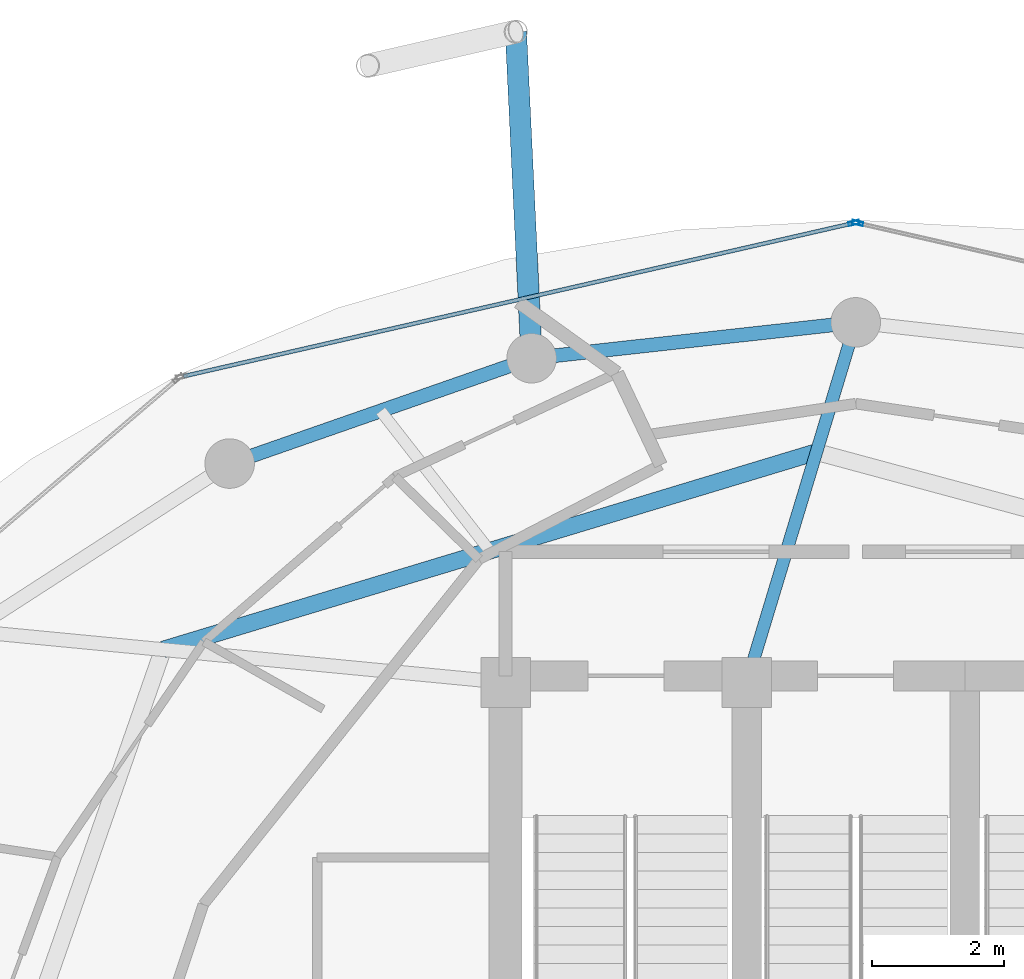
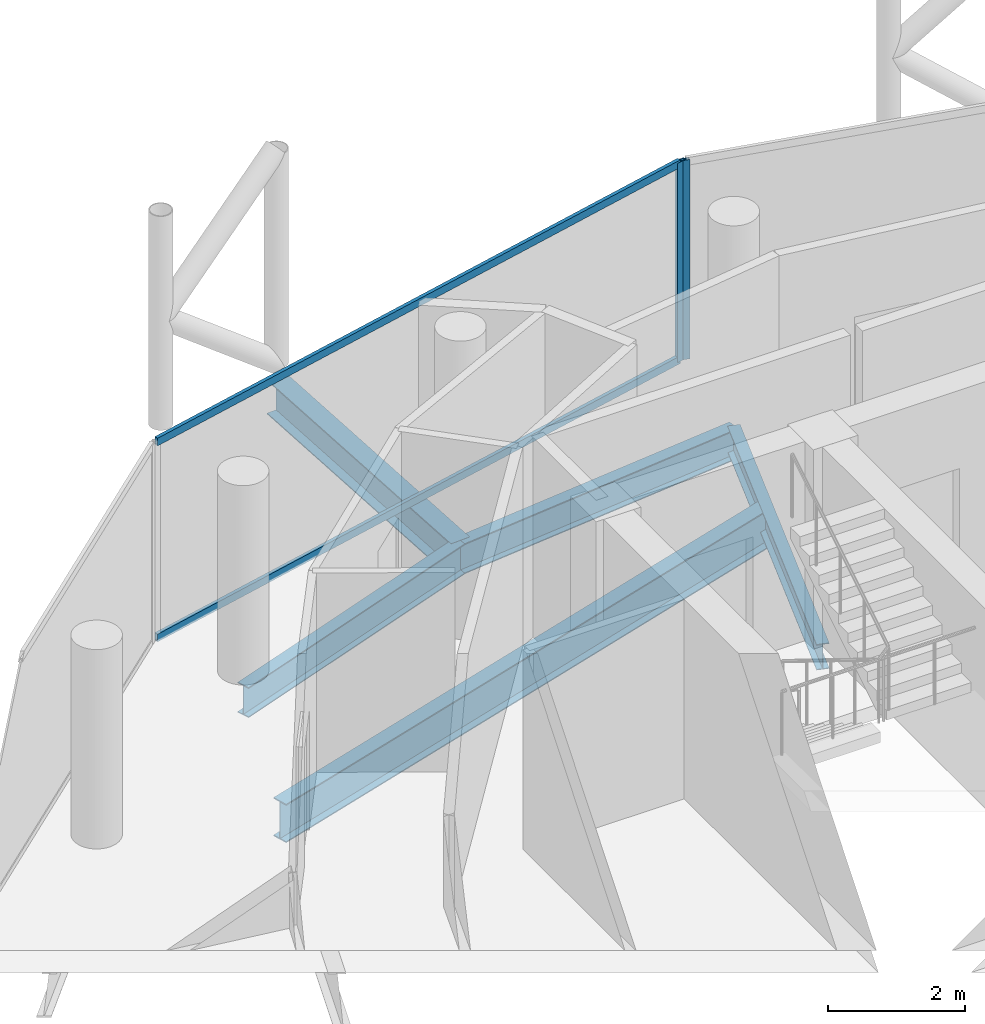
# One storey, part 16 of 24: 5 beams, 4 members, 2 elements without a shape of their own.
"""IFC4 building model written with IfcOpenShell, lengths in metres."""

from ifc_helpers import new_model, si_unit, direction, frame, origin, origin_2d, place, context, subcontext, project, spatial, hollow_rectangle, i_section, extrude, material, layer, layer_set, material_profile, profile_set, type_object, element, aggregate, save


model = new_model("IFC4")

# Units and contexts
model_context = context("Model", 3, precision=1e-05, world=origin(), true_north=direction((0.0, 1.0)))
body_context = subcontext(model_context, "Body", "Model", "MODEL_VIEW")
ifc_project = project(units=[si_unit("LENGTHUNIT", "METRE"), si_unit("AREAUNIT", "SQUARE_METRE"), si_unit("VOLUMEUNIT", "CUBIC_METRE"), si_unit("PLANEANGLEUNIT", "RADIAN"), si_unit("MASSUNIT", "GRAM", prefix="KILO")], contexts=[model_context])

# Site, building, storey
site_placement = place(None, origin())
site = spatial("IfcSite", under=ifc_project, at=site_placement, CompositionType="ELEMENT")
building_placement = place(site_placement, origin())
building = spatial("IfcBuilding", under=site, at=building_placement, Name="Nuhasar Tower", CompositionType="ELEMENT")
storey_placement = place(building_placement, frame((0.0, 0.0, 282.199951171875)))
storey = spatial("IfcBuildingStorey", under=building, at=storey_placement, Name="L70", CompositionType="ELEMENT", Elevation=282.199951171875)

# Beams
ifc_material_1 = material(Name="Steel S355", Category="steel")
ifc_material_profile_1 = material_profile(ifc_material_1, i_section(OverallWidth=0.25390625, OverallDepth=0.68408203125, WebThickness=0.012451171875, FlangeThickness=0.018798828125, at=origin_2d()), Name="W27X94")
ifc_profile_set_1 = profile_set([ifc_material_profile_1], Name="Steel S355")
beam_type_1 = type_object("IfcBeamType", Name="BM-INRING-W27X94", PredefinedType="BEAM", material=ifc_profile_set_1)
beam_1_placement = place(storey_placement, frame((38.406005859375, 40.7880859375, -0.60205078125), z_axis=(-0.957210818407, -0.289391515294, 0.0), x_axis=(0.289391515294, -0.957210818407, 0.0)))
element("IfcBeam", 1, at=beam_1_placement, inside=storey, type_object=beam_type_1, Name="L70 Inner Header Beam 06", PredefinedType="BEAM", context=body_context, shape_type="SweptSolid", body=[
    extrude(i_section(OverallWidth=0.25390625, OverallDepth=0.68408203125, WebThickness=0.012451171875, FlangeThickness=0.018798828125, at=origin_2d()), origin(), (0.0, 0.0, 1.0), 10.33203125),
])
ifc_material_profile_2 = material_profile(ifc_material_1, i_section(OverallWidth=0.18994140625, OverallDepth=0.45703125, WebThickness=0.009033203125, FlangeThickness=0.014404296875, at=origin_2d()), Name="W18X50")
ifc_profile_set_2 = profile_set([ifc_material_profile_2], Name="Steel S355")
beam_type_2 = type_object("IfcBeamType", Name="BM-RAD-W18X50", PredefinedType="BEAM", material=ifc_profile_set_2)
beam_2_placement = place(storey_placement, frame((37.35009765625, 37.300048828125, -0.488037109375), z_axis=(0.289750350206, 0.957102259195, 0.0), x_axis=(-0.957102259195, 0.289750350206, 0.0)))
element("IfcBeam", 2, at=beam_2_placement, inside=storey, type_object=beam_type_2, Name="L70 Radial Floor Girder 06", PredefinedType="BEAM", context=body_context, shape_type="SweptSolid", body=[
    extrude(i_section(OverallWidth=0.18994140625, OverallDepth=0.45703125, WebThickness=0.009033203125, FlangeThickness=0.014404296875, at=origin_2d()), origin(), (0.0, 0.0, 1.0), 5.6943359375),
])
ifc_material_profile_3 = material_profile(ifc_material_1, i_section(OverallWidth=0.2099609375, OverallDepth=0.537109375, WebThickness=0.010986328125, FlangeThickness=0.017333984375, at=origin_2d()), Name="W21X68")
ifc_profile_set_3 = profile_set([ifc_material_profile_3], Name="Steel S355")
beam_type_3 = type_object("IfcBeamType", Name="BM-RING-W21X68", PredefinedType="SPANDREL", material=ifc_profile_set_3)
beam_3_placement = place(storey_placement, frame((39.0, 42.75, -0.529052734375), z_axis=(-0.99392889943, -0.110024283128, 0.0), x_axis=(0.110024283128, -0.99392889943, 0.0)))
element("IfcBeam", 3, at=beam_3_placement, inside=storey, type_object=beam_type_3, Name="L70 Perimeter Ring Spandrel 07", PredefinedType="SPANDREL", context=body_context, shape_type="SweptSolid", body=[
    extrude(i_section(OverallWidth=0.2099609375, OverallDepth=0.537109375, WebThickness=0.010986328125, FlangeThickness=0.017333984375, at=origin_2d()), origin(), (0.0, 0.0, 1.0), 4.93505859375),
])
beam_4_placement = place(storey_placement, frame((34.094970703125, 42.20703125, -0.529052734375), z_axis=(-0.944214043504, -0.329332415729, 0.0), x_axis=(0.329332415729, -0.944214043504, 0.0)))
element("IfcBeam", 4, at=beam_4_placement, inside=storey, type_object=beam_type_3, Name="L70 Perimeter Ring Spandrel 08", PredefinedType="SPANDREL", context=body_context, shape_type="SweptSolid", body=[
    extrude(i_section(OverallWidth=0.2099609375, OverallDepth=0.537109375, WebThickness=0.010986328125, FlangeThickness=0.017333984375, at=origin_2d()), origin(), (0.0, 0.0, 1.0), 4.840087890625),
])
ifc_material_profile_4 = material_profile(ifc_material_1, i_section(OverallWidth=0.323974609375, OverallDepth=0.611083984375, WebThickness=0.0126953125, FlangeThickness=0.01904296875, at=origin_2d()), Name="W24X104")
ifc_profile_set_4 = profile_set([ifc_material_profile_4], Name="Steel S355")
beam_type_4 = type_object("IfcBeamType", Name="BM-TIE-W24X104", PredefinedType="BEAM", material=ifc_profile_set_4)
beam_5_placement = place(storey_placement, frame((34.094970703125, 42.20703125, -0.56494140625), z_axis=(-0.048111398417, 0.998841976162, 0.0), x_axis=(-0.998841976162, -0.048111398417, 0.0)))
element("IfcBeam", 5, at=beam_5_placement, inside=storey, type_object=beam_type_4, Name="L70 Exoskeleton Node Tie Beam 04", PredefinedType="BEAM", context=body_context, shape_type="SweptSolid", body=[
    extrude(i_section(OverallWidth=0.323974609375, OverallDepth=0.611083984375, WebThickness=0.0126953125, FlangeThickness=0.01904296875, at=origin_2d()), origin(), (0.0, 0.0, 1.0), 4.947509765625),
])

# Curtain wall, member
ifc_material_2 = material(Name="Aluminium 6063-T6", Category="aluminium")
ifc_layer = layer(ifc_material_2, 0.18994140625)
ifc_layer_set = layer_set([ifc_layer], Name="Aluminium 6063-T6")
curtain_wall_type = type_object("IfcCurtainWallType", Name="CW-Z4-PEN", PredefinedType="NOTDEFINED", material=ifc_layer_set)
curtain_wall_1_placement = place(storey_placement, origin())
curtain_wall_1 = element("IfcCurtainWall", 6, at=curtain_wall_1_placement, inside=storey, type_object=curtain_wall_type, Name="L70 Unitised Curtain Wall 03", PredefinedType="NOTDEFINED")
ifc_material_profile_5 = material_profile(ifc_material_2, hollow_rectangle(XDim=0.06005859375, YDim=0.1650390625, WallThickness=0.0048828125, at=origin_2d()), Name="CWM-5")
ifc_profile_set_5 = profile_set([ifc_material_profile_5], Name="Aluminium 6063-T6")
member_type_1 = type_object("IfcMemberType", Name="CW-MUL-S5", PredefinedType="MULLION", material=ifc_profile_set_5)
member_1_placement = place(storey_placement, frame((39.029296875, 44.25341796875, 0.0), z_axis=(0.0, 0.0, 1.0), x_axis=(-0.222889487645, -0.97484371891, 0.0)))
member_1 = element("IfcMember", 7, at=member_1_placement, type_object=member_type_1, Name="CW-Z4 mullion 2", PredefinedType="MULLION", context=body_context, shape_type="SweptSolid", body=[
    extrude(hollow_rectangle(XDim=0.06005859375, YDim=0.1650390625, WallThickness=0.0048828125, at=origin_2d()), origin(), (0.0, 0.0, 1.0), 3.5400390625),
])
aggregate(curtain_wall_1, [member_1])

# Curtain wall, members
curtain_wall_2_placement = place(storey_placement, origin())
curtain_wall_2 = element("IfcCurtainWall", 8, at=curtain_wall_2_placement, inside=storey, type_object=curtain_wall_type, Name="L70 Unitised Curtain Wall 04", PredefinedType="NOTDEFINED")
member_2_placement = place(storey_placement, frame((38.970703125, 44.25341796875, 0.0), z_axis=(0.0, 0.0, 1.0), x_axis=(0.222889487645, -0.97484371891, 0.0)))
member_2 = element("IfcMember", 9, at=member_2_placement, type_object=member_type_1, Name="CW-Z4 mullion 1", PredefinedType="MULLION", context=body_context, shape_type="SweptSolid", body=[
    extrude(hollow_rectangle(XDim=0.06005859375, YDim=0.1650390625, WallThickness=0.0048828125, at=origin_2d()), origin(), (0.0, 0.0, 1.0), 3.5400390625),
])
ifc_material_profile_6 = material_profile(ifc_material_2, hollow_rectangle(XDim=0.06005859375, YDim=0.135009765625, WallThickness=0.00439453125, at=origin_2d()), Name="CWT-5")
ifc_profile_set_6 = profile_set([ifc_material_profile_6], Name="Aluminium 6063-T6")
member_type_2 = type_object("IfcMemberType", Name="CW-TRN-S5", PredefinedType="USERDEFINED", material=ifc_profile_set_6)
member_3_placement = place(storey_placement, frame((38.94140625, 44.24658203125, 0.030029296875), z_axis=(-0.974843752401, -0.222889341163, 0.0), x_axis=(0.222889341163, -0.974843752401, 0.0)))
member_3 = element("IfcMember", 10, at=member_3_placement, type_object=member_type_2, Name="CW-Z4 transom 1.1", ObjectType="TRANSOM", PredefinedType="USERDEFINED", context=body_context, shape_type="SweptSolid", body=[
    extrude(hollow_rectangle(XDim=0.06005859375, YDim=0.135009765625, WallThickness=0.00439453125, at=origin_2d()), origin(), (0.0, 0.0, 1.0), 10.3740234375),
])
member_4_placement = place(storey_placement, frame((38.94140625, 44.24658203125, 3.510009765625), z_axis=(-0.974843752401, -0.222889341163, 0.0), x_axis=(0.222889341163, -0.974843752401, 0.0)))
member_4 = element("IfcMember", 11, at=member_4_placement, type_object=member_type_2, Name="CW-Z4 transom 1.2", ObjectType="TRANSOM", PredefinedType="USERDEFINED", context=body_context, shape_type="SweptSolid", body=[
    extrude(hollow_rectangle(XDim=0.06005859375, YDim=0.135009765625, WallThickness=0.00439453125, at=origin_2d()), origin(), (0.0, 0.0, 1.0), 10.3740234375),
])
aggregate(curtain_wall_2, [member_2, member_3, member_4])

save(model, "model.ifc")
